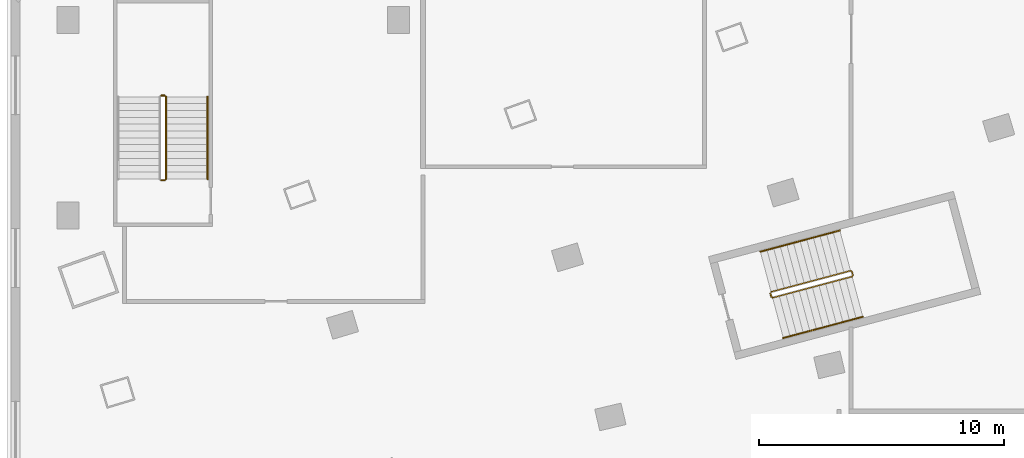
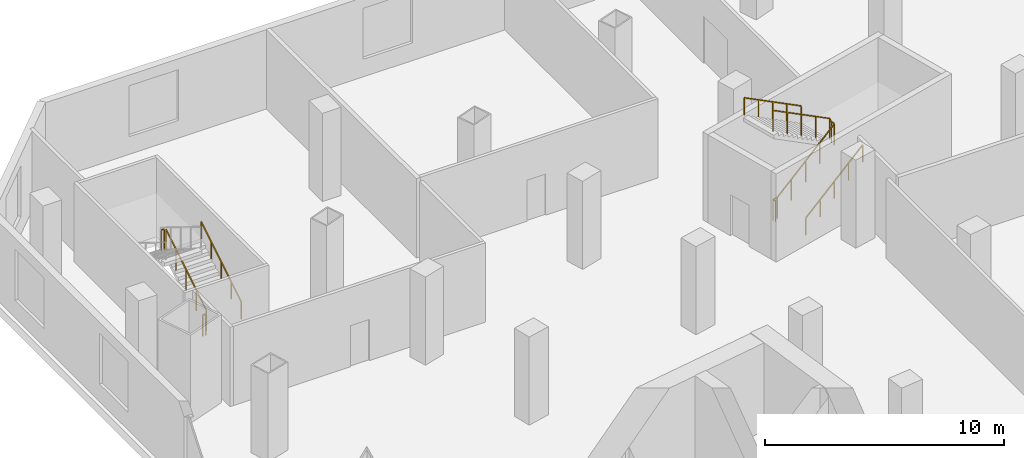
# One storey, part 13 of 14: 7 railings.
"""IFC4 building model written with IfcOpenShell, lengths in metres."""

from ifc_helpers import new_model, si_unit, direction, frame, origin, origin_2d, place, context, subcontext, project, spatial, rectangle, extrude, material, type_object, element, save


model = new_model("IFC4")

# Units and contexts
model_context = context("Model", 3, precision=1e-05, world=origin(), true_north=direction((0.0, 1.0)))
body_context = subcontext(model_context, "Body", "Model", "MODEL_VIEW")
ifc_project = project(units=[si_unit("LENGTHUNIT", "METRE"), si_unit("AREAUNIT", "SQUARE_METRE"), si_unit("VOLUMEUNIT", "CUBIC_METRE"), si_unit("PLANEANGLEUNIT", "RADIAN"), si_unit("MASSUNIT", "GRAM", prefix="KILO")], contexts=[model_context])

# Site, building, storey
site_placement = place(None, origin())
site = spatial("IfcSite", under=ifc_project, at=site_placement, CompositionType="ELEMENT")
building_placement = place(site_placement, origin())
building = spatial("IfcBuilding", under=site, at=building_placement, Name="Alderwake Tower", CompositionType="ELEMENT")
storey_placement = place(building_placement, frame((0.0, 0.0, 23.0)))
storey = spatial("IfcBuildingStorey", under=building, at=storey_placement, Name="L04", CompositionType="ELEMENT", Elevation=23.0)

# Railings
ifc_material_1 = material(Name="Stainless steel guard", Category="steel")
railing_type_1 = type_object("IfcRailingType", Name="Stair guard 1100", PredefinedType="GUARDRAIL", material=ifc_material_1)
railing_1_placement = place(storey_placement, frame((39.23291015625, 92.6806640625, 0.0)))
element("IfcRailing", 1, at=railing_1_placement, inside=storey, type_object=railing_type_1, Name="L04 ST-A stair guard 1", PredefinedType="GUARDRAIL", context=body_context, shape_type="SweptSolid", body=[
    extrude(rectangle(XDim=0.048095703125, YDim=0.048095703125, at=origin_2d()), frame((0.0, 0.0, 1.076171875), z_axis=(-0.257055032184, 0.966396766566, 0.0), x_axis=(-0.966396766566, -0.257055032184, 0.0)), (0.0, 0.0, 1.0), 0.150146484375),
    extrude(rectangle(XDim=0.048095703125, YDim=0.048095703125, at=origin_2d()), frame((-0.03857421875, 0.14501953125, 1.076171875), z_axis=(0.370887075343, -0.67013581584, 0.642931384886), x_axis=(0.874937996095, 0.484234966715, 0.0)), (0.0, 0.0, 1.0), 0.269287109375),
    extrude(rectangle(XDim=0.048095703125, YDim=0.048095703125, at=origin_2d()), frame((0.061279296875, -0.035400390625, 1.2490234375), z_axis=(0.821951815101, 0.218977011873, 0.525779689531), x_axis=(-0.257432002611, 0.966296416237, 0.0)), (0.0, 0.0, 1.0), 3.9501953125),
    extrude(rectangle(XDim=0.048095703125, YDim=0.048095703125, at=origin_2d()), frame((3.30810546875, 0.82958984375, 3.326171875), z_axis=(0.501718089772, 0.865031189262, 0.0), x_axis=(-0.865031189262, 0.501718089772, 0.0)), (0.0, 0.0, 1.0), 0.070556640625),
    extrude(rectangle(XDim=0.048095703125, YDim=0.048095703125, at=origin_2d()), frame((3.343505859375, 0.890625, 3.326171875), z_axis=(-0.257055032184, 0.966396766566, 0.0), x_axis=(-0.966396766566, -0.257055032184, 0.0)), (0.0, 0.0, 1.0), 0.150146484375),
    extrude(rectangle(XDim=0.048095703125, YDim=0.048095703125, at=origin_2d()), frame((3.304931640625, 1.03564453125, 3.326171875), z_axis=(-0.327689923189, 0.189302943675, 0.925626117693), x_axis=(-0.500220121494, -0.865898279276, 0.0)), (0.0, 0.0, 1.0), 0.18701171875),
    extrude(rectangle(XDim=0.048095703125, YDim=0.048095703125, at=origin_2d()), frame((3.24365234375, 1.071044921875, 3.4990234375), z_axis=(-0.821962938046, -0.218918168777, 0.525786804569), x_axis=(0.257364156602, -0.966314488609, 0.0)), (0.0, 0.0, 1.0), 3.9501953125),
    extrude(rectangle(XDim=0.0419921875, YDim=0.0419921875, at=origin_2d()), frame((0.0, 0.0, 0.0), z_axis=(0.0, 0.0, 1.0), x_axis=(-0.257055032184, 0.966396766566, 0.0)), (0.0, 0.0, 1.0), 1.052001953125),
    extrude(rectangle(XDim=0.0419921875, YDim=0.0419921875, at=origin_2d()), frame((-0.03857421875, 0.14501953125, 0.0), z_axis=(0.0, 0.0, 1.0), x_axis=(0.484234966715, -0.874937996095, 0.0)), (0.0, 0.0, 1.0), 1.052001953125),
    extrude(rectangle(XDim=0.0419921875, YDim=0.0419921875, at=origin_2d()), frame((0.061279296875, -0.035400390625, 0.173095703125), z_axis=(0.0, 0.0, 1.0), x_axis=(0.966296416237, 0.257432002611, 0.0)), (0.0, 0.0, 1.0), 1.052001953125),
    extrude(rectangle(XDim=0.0419921875, YDim=0.0419921875, at=origin_2d()), frame((0.873046875, 0.180908203125, 0.6923828125), z_axis=(0.0, 0.0, 1.0), x_axis=(0.966296416237, 0.257432002611, 0.0)), (0.0, 0.0, 1.0), 1.052001953125),
    extrude(rectangle(XDim=0.0419921875, YDim=0.0419921875, at=origin_2d()), frame((1.6845703125, 0.39697265625, 1.21142578125), z_axis=(0.0, 0.0, 1.0), x_axis=(0.966296416237, 0.257432002611, 0.0)), (0.0, 0.0, 1.0), 1.052001953125),
    extrude(rectangle(XDim=0.0419921875, YDim=0.0419921875, at=origin_2d()), frame((2.496337890625, 0.61328125, 1.730712890625), z_axis=(0.0, 0.0, 1.0), x_axis=(0.966296416237, 0.257432002611, 0.0)), (0.0, 0.0, 1.0), 1.052001953125),
    extrude(rectangle(XDim=0.0419921875, YDim=0.0419921875, at=origin_2d()), frame((3.30810546875, 0.82958984375, 2.25), z_axis=(0.0, 0.0, 1.0), x_axis=(0.501718089772, 0.865031189262, 0.0)), (0.0, 0.0, 1.0), 1.052001953125),
    extrude(rectangle(XDim=0.0419921875, YDim=0.0419921875, at=origin_2d()), frame((3.343505859375, 0.890625, 2.25), z_axis=(0.0, 0.0, 1.0), x_axis=(-0.257055032184, 0.966396766566, 0.0)), (0.0, 0.0, 1.0), 1.052001953125),
    extrude(rectangle(XDim=0.0419921875, YDim=0.0419921875, at=origin_2d()), frame((3.304931640625, 1.03564453125, 2.25), z_axis=(0.0, 0.0, 1.0), x_axis=(-0.865898279276, 0.500220121494, 0.0)), (0.0, 0.0, 1.0), 1.052001953125),
    extrude(rectangle(XDim=0.0419921875, YDim=0.0419921875, at=origin_2d()), frame((3.24365234375, 1.071044921875, 2.423095703125), z_axis=(0.0, 0.0, 1.0), x_axis=(-0.966314488609, -0.257364156602, 0.0)), (0.0, 0.0, 1.0), 1.052001953125),
    extrude(rectangle(XDim=0.0419921875, YDim=0.0419921875, at=origin_2d()), frame((2.431884765625, 0.85498046875, 2.9423828125), z_axis=(0.0, 0.0, 1.0), x_axis=(-0.966314488609, -0.257364156602, 0.0)), (0.0, 0.0, 1.0), 1.052001953125),
    extrude(rectangle(XDim=0.0419921875, YDim=0.0419921875, at=origin_2d()), frame((1.6201171875, 0.638671875, 3.46142578125), z_axis=(0.0, 0.0, 1.0), x_axis=(-0.966314488609, -0.257364156602, 0.0)), (0.0, 0.0, 1.0), 1.052001953125),
    extrude(rectangle(XDim=0.0419921875, YDim=0.0419921875, at=origin_2d()), frame((0.80859375, 0.42236328125, 3.980712890625), z_axis=(0.0, 0.0, 1.0), x_axis=(-0.966314488609, -0.257364156602, 0.0)), (0.0, 0.0, 1.0), 1.052001953125),
    extrude(rectangle(XDim=0.0419921875, YDim=0.0419921875, at=origin_2d()), frame((-0.003173828125, 0.206298828125, 4.5), z_axis=(0.0, 0.0, 1.0), x_axis=(-0.966314488609, -0.257364156602, 0.0)), (0.0, 0.0, 1.0), 1.052001953125),
])
railing_2_placement = place(storey_placement, frame((14.5, 97.5, 0.173095703125)))
element("IfcRailing", 2, at=railing_2_placement, inside=storey, type_object=railing_type_1, Name="L04 ST-P2 stair guard 1", PredefinedType="GUARDRAIL", context=body_context, shape_type="SweptSolid", body=[
    extrude(rectangle(XDim=0.048095703125, YDim=0.048095703125, at=origin_2d()), frame((0.0, 0.0, 1.076171875), z_axis=(0.0, 0.850623216509, 0.525775754039), x_axis=(-1.0, 0.0, 0.0)), (0.0, 0.0, 1.0), 3.9501953125),
    extrude(rectangle(XDim=0.0419921875, YDim=0.0419921875, at=origin_2d()), frame((0.0, 0.0, 0.0), z_axis=(0.0, 0.0, 1.0), x_axis=(0.0, 1.0, 0.0)), (0.0, 0.0, 1.0), 1.052001953125),
    extrude(rectangle(XDim=0.0419921875, YDim=0.0419921875, at=origin_2d()), frame((0.0, 0.840087890625, 0.519287109375), z_axis=(0.0, 0.0, 1.0), x_axis=(0.0, 1.0, 0.0)), (0.0, 0.0, 1.0), 1.052001953125),
    extrude(rectangle(XDim=0.0419921875, YDim=0.0419921875, at=origin_2d()), frame((0.0, 1.68017578125, 1.03857421875), z_axis=(0.0, 0.0, 1.0), x_axis=(0.0, 1.0, 0.0)), (0.0, 0.0, 1.0), 1.052001953125),
    extrude(rectangle(XDim=0.0419921875, YDim=0.0419921875, at=origin_2d()), frame((0.0, 2.52001953125, 1.5576171875), z_axis=(0.0, 0.0, 1.0), x_axis=(0.0, 1.0, 0.0)), (0.0, 0.0, 1.0), 1.052001953125),
    extrude(rectangle(XDim=0.0419921875, YDim=0.0419921875, at=origin_2d()), frame((0.0, 3.360107421875, 2.076904296875), z_axis=(0.0, 0.0, 1.0), x_axis=(0.0, 1.0, 0.0)), (0.0, 0.0, 1.0), 1.052001953125),
])
for number, where, name in (
    (3, (14.449951171875, 100.909912109375, 2.25), "L04 ST-P2 stair guard 2"),
    (4, (14.449951171875, 97.449951171875, 0.0), "L04 ST-P2 stair guard 4"),
):
    element("IfcRailing", number, at=place(storey_placement, frame(where)), inside=storey, type_object=railing_type_1, Name=name, PredefinedType="GUARDRAIL", context=body_context, shape_type="SweptSolid", body=[
        extrude(rectangle(XDim=0.048095703125, YDim=0.048095703125, at=origin_2d()), frame((0.0, 0.0, 1.076171875), z_axis=(-1.0, 0.0, 0.0), x_axis=(0.0, -1.0, 0.0)), (0.0, 0.0, 1.0), 0.14990234375),
        extrude(rectangle(XDim=0.0419921875, YDim=0.0419921875, at=origin_2d()), frame((0.0, 0.0, 0.0), z_axis=(0.0, 0.0, 1.0), x_axis=(-1.0, 0.0, 0.0)), (0.0, 0.0, 1.0), 1.052001953125),
        extrude(rectangle(XDim=0.0419921875, YDim=0.0419921875, at=origin_2d()), frame((-0.14990234375, 0.0, 0.0), z_axis=(0.0, 0.0, 1.0), x_axis=(-1.0, 0.0, 0.0)), (0.0, 0.0, 1.0), 1.052001953125),
    ])
ifc_material_2 = material(Name="Stainless steel handrail", Category="steel")
railing_type_2 = type_object("IfcRailingType", Name="Stair handrail 900", PredefinedType="HANDRAIL", material=ifc_material_2)
railing_3_placement = place(storey_placement, frame((39.731689453125, 91.002685546875, 0.173095703125)))
element("IfcRailing", 5, at=railing_3_placement, inside=storey, type_object=railing_type_2, Name="L04 ST-A stair handrail 1", PredefinedType="HANDRAIL", context=body_context, shape_type="SweptSolid", body=[
    extrude(rectangle(XDim=0.048095703125, YDim=0.048095703125, at=origin_2d()), frame((0.0, 0.0, 0.8759765625), z_axis=(0.821962938046, 0.218918168777, 0.525786804569), x_axis=(-0.257364156602, 0.966314488609, 0.0)), (0.0, 0.0, 1.0), 3.9501953125),
    extrude(rectangle(XDim=0.0419921875, YDim=0.0419921875, at=origin_2d()), frame((0.0, 0.0, 0.0), z_axis=(0.0, 0.0, 1.0), x_axis=(0.966314488609, 0.257364156602, 0.0)), (0.0, 0.0, 1.0), 0.851806640625),
    extrude(rectangle(XDim=0.0419921875, YDim=0.0419921875, at=origin_2d()), frame((0.811767578125, 0.21630859375, 0.519287109375), z_axis=(0.0, 0.0, 1.0), x_axis=(0.966314488609, 0.257364156602, 0.0)), (0.0, 0.0, 1.0), 0.851806640625),
    extrude(rectangle(XDim=0.0419921875, YDim=0.0419921875, at=origin_2d()), frame((1.62353515625, 0.432373046875, 1.03857421875), z_axis=(0.0, 0.0, 1.0), x_axis=(0.966314488609, 0.257364156602, 0.0)), (0.0, 0.0, 1.0), 0.851806640625),
    extrude(rectangle(XDim=0.0419921875, YDim=0.0419921875, at=origin_2d()), frame((2.43505859375, 0.6484375, 1.5576171875), z_axis=(0.0, 0.0, 1.0), x_axis=(0.966314488609, 0.257364156602, 0.0)), (0.0, 0.0, 1.0), 0.851806640625),
    extrude(rectangle(XDim=0.0419921875, YDim=0.0419921875, at=origin_2d()), frame((3.246826171875, 0.86474609375, 2.076904296875), z_axis=(0.0, 0.0, 1.0), x_axis=(0.966314488609, 0.257364156602, 0.0)), (0.0, 0.0, 1.0), 0.851806640625),
])
railing_4_placement = place(storey_placement, frame((42.0390625, 95.39453125, 2.423095703125)))
element("IfcRailing", 6, at=railing_4_placement, inside=storey, type_object=railing_type_2, Name="L04 ST-A stair handrail 2", PredefinedType="HANDRAIL", context=body_context, shape_type="SweptSolid", body=[
    extrude(rectangle(XDim=0.048095703125, YDim=0.048095703125, at=origin_2d()), frame((0.0, 0.0, 0.8759765625), z_axis=(-0.821951815101, -0.218977011873, 0.525779689531), x_axis=(0.257432002611, -0.966296416237, 0.0)), (0.0, 0.0, 1.0), 3.9501953125),
    extrude(rectangle(XDim=0.0419921875, YDim=0.0419921875, at=origin_2d()), frame((0.0, 0.0, 0.0), z_axis=(0.0, 0.0, 1.0), x_axis=(-0.966296416237, -0.257432002611, 0.0)), (0.0, 0.0, 1.0), 0.851806640625),
    extrude(rectangle(XDim=0.0419921875, YDim=0.0419921875, at=origin_2d()), frame((-0.811767578125, -0.21630859375, 0.519287109375), z_axis=(0.0, 0.0, 1.0), x_axis=(-0.966296416237, -0.257432002611, 0.0)), (0.0, 0.0, 1.0), 0.851806640625),
    extrude(rectangle(XDim=0.0419921875, YDim=0.0419921875, at=origin_2d()), frame((-1.62353515625, -0.4326171875, 1.03857421875), z_axis=(0.0, 0.0, 1.0), x_axis=(-0.966296416237, -0.257432002611, 0.0)), (0.0, 0.0, 1.0), 0.851806640625),
    extrude(rectangle(XDim=0.0419921875, YDim=0.0419921875, at=origin_2d()), frame((-2.43505859375, -0.648681640625, 1.5576171875), z_axis=(0.0, 0.0, 1.0), x_axis=(-0.966296416237, -0.257432002611, 0.0)), (0.0, 0.0, 1.0), 0.851806640625),
    extrude(rectangle(XDim=0.0419921875, YDim=0.0419921875, at=origin_2d()), frame((-3.246826171875, -0.864990234375, 2.076904296875), z_axis=(0.0, 0.0, 1.0), x_axis=(-0.966296416237, -0.257432002611, 0.0)), (0.0, 0.0, 1.0), 0.851806640625),
])
railing_5_placement = place(storey_placement, frame((16.199951171875, 97.5, 0.173095703125)))
element("IfcRailing", 7, at=railing_5_placement, inside=storey, type_object=railing_type_2, Name="L04 ST-P2 stair handrail 1", PredefinedType="HANDRAIL", context=body_context, shape_type="SweptSolid", body=[
    extrude(rectangle(XDim=0.048095703125, YDim=0.048095703125, at=origin_2d()), frame((0.0, 0.0, 0.8759765625), z_axis=(0.0, 0.850623216509, 0.525775754039), x_axis=(-1.0, 0.0, 0.0)), (0.0, 0.0, 1.0), 3.9501953125),
    extrude(rectangle(XDim=0.0419921875, YDim=0.0419921875, at=origin_2d()), frame((0.0, 0.0, 0.0), z_axis=(0.0, 0.0, 1.0), x_axis=(0.0, 1.0, 0.0)), (0.0, 0.0, 1.0), 0.851806640625),
    extrude(rectangle(XDim=0.0419921875, YDim=0.0419921875, at=origin_2d()), frame((0.0, 0.840087890625, 0.519287109375), z_axis=(0.0, 0.0, 1.0), x_axis=(0.0, 1.0, 0.0)), (0.0, 0.0, 1.0), 0.851806640625),
    extrude(rectangle(XDim=0.0419921875, YDim=0.0419921875, at=origin_2d()), frame((0.0, 1.68017578125, 1.03857421875), z_axis=(0.0, 0.0, 1.0), x_axis=(0.0, 1.0, 0.0)), (0.0, 0.0, 1.0), 0.851806640625),
    extrude(rectangle(XDim=0.0419921875, YDim=0.0419921875, at=origin_2d()), frame((0.0, 2.52001953125, 1.5576171875), z_axis=(0.0, 0.0, 1.0), x_axis=(0.0, 1.0, 0.0)), (0.0, 0.0, 1.0), 0.851806640625),
    extrude(rectangle(XDim=0.0419921875, YDim=0.0419921875, at=origin_2d()), frame((0.0, 3.360107421875, 2.076904296875), z_axis=(0.0, 0.0, 1.0), x_axis=(0.0, 1.0, 0.0)), (0.0, 0.0, 1.0), 0.851806640625),
])

save(model, "model.ifc")
